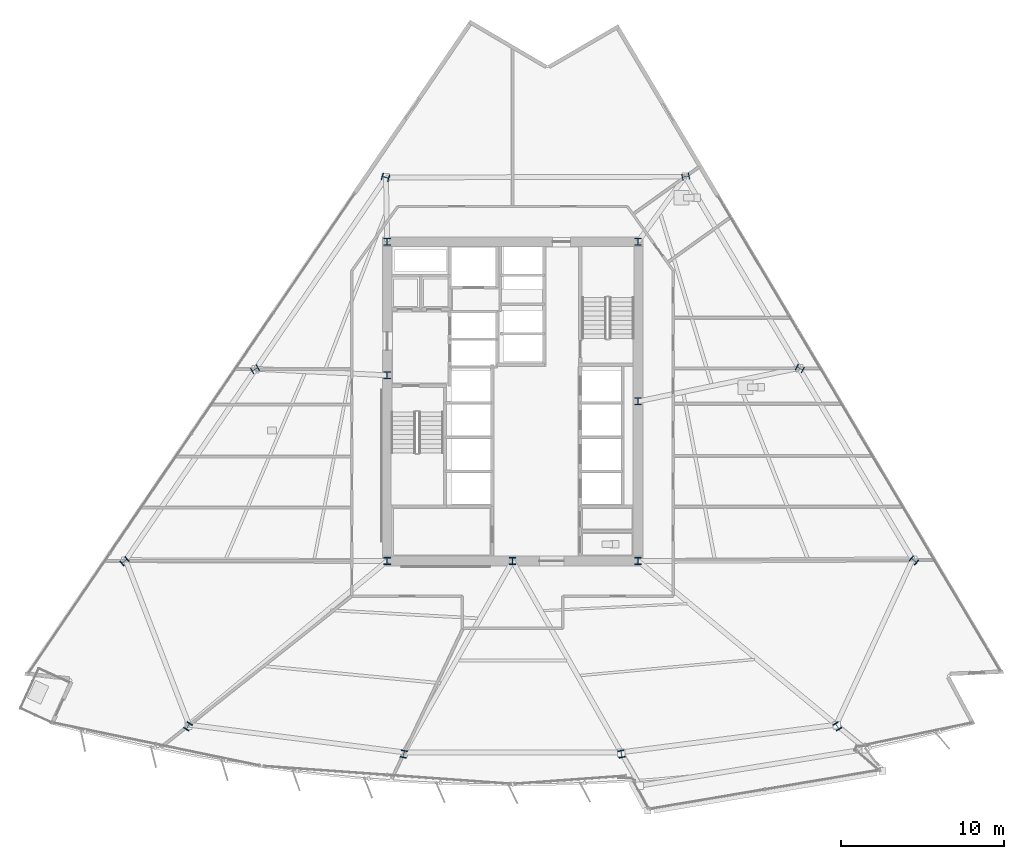
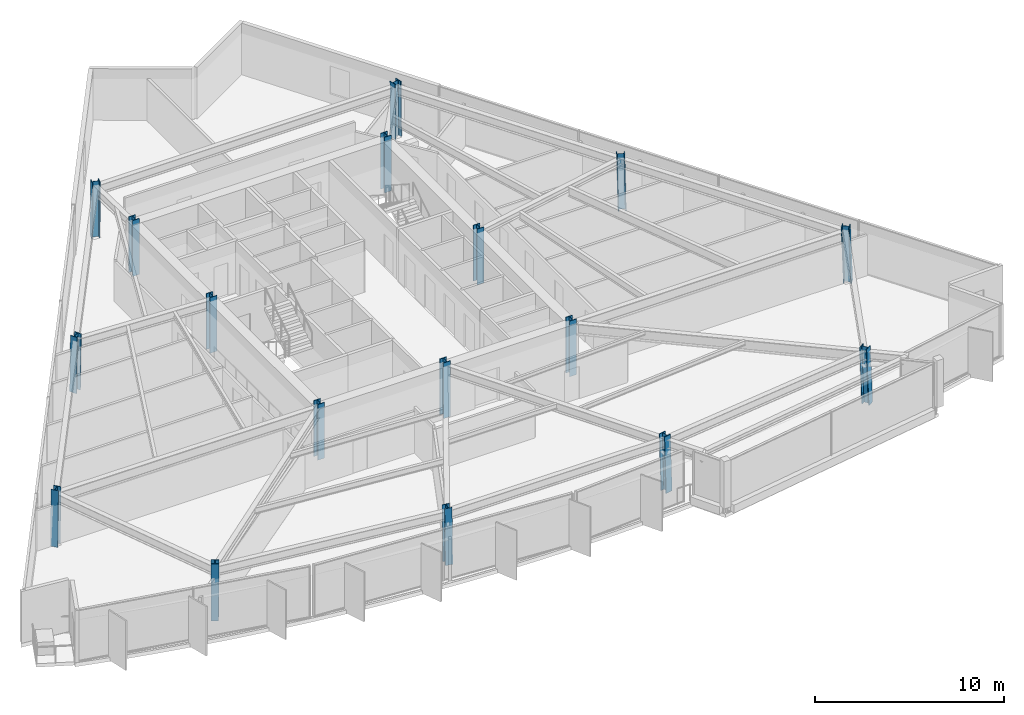
# One storey, part 1 of 18: 17 columns.
"""IFC4 building model written with IfcOpenShell, lengths in metres."""

from ifc_helpers import new_model, si_unit, direction, frame, origin, origin_2d, place, context, subcontext, project, spatial, i_section, extrude, material, material_profile, profile_set, type_object, element, save


model = new_model("IFC4")

# Units and contexts
model_context = context("Model", 3, precision=1e-05, world=origin(), true_north=direction((0.0, 1.0)))
body_context = subcontext(model_context, "Body", "Model", "MODEL_VIEW")
ifc_project = project(units=[si_unit("LENGTHUNIT", "METRE"), si_unit("AREAUNIT", "SQUARE_METRE"), si_unit("VOLUMEUNIT", "CUBIC_METRE"), si_unit("PLANEANGLEUNIT", "RADIAN"), si_unit("MASSUNIT", "GRAM", prefix="KILO")], contexts=[model_context])

# Site, building, storey
site_placement = place(None, origin())
site = spatial("IfcSite", under=ifc_project, at=site_placement, CompositionType="ELEMENT")
building_placement = place(site_placement, origin())
building = spatial("IfcBuilding", under=site, at=building_placement, Name="Savorim Split Tower", CompositionType="ELEMENT")
storey_placement = place(building_placement, frame((0.0, 0.0, 48.0)))
storey = spatial("IfcBuildingStorey", under=building, at=storey_placement, Name="L12", CompositionType="ELEMENT", Elevation=48.0)

# Columns
ifc_material = material(Name="Steel S460", Category="steel")
ifc_material_profile = material_profile(ifc_material, i_section(OverallWidth=0.416015625, OverallDepth=0.446044921875, WebThickness=0.02490234375, FlangeThickness=0.0400390625, FilletRadius=0.014892578125, at=origin_2d()), Name="HD 400x509")
ifc_profile_set = profile_set([ifc_material_profile], Name="Steel S460")
column_type = type_object("IfcColumnType", Name="COL-HD-509", PredefinedType="COLUMN", material=ifc_profile_set)
for number, where, z_axis, x_axis, name in (
    (1, (-7.699951171875, -9.39990234375, 0.0), (0.0, 0.0, 1.0), (1.0, 0.0, 0.0), "L12 Core Structural Column TC-C1"),
    (2, (7.699951171875, -9.39990234375, 0.0), (0.0, 0.0, 1.0), (1.0, 0.0, 0.0), "L12 Core Structural Column TC-C2"),
    (3, (7.699951171875, 10.199951171875, 0.0), (0.0, 0.0, 1.0), (1.0, 0.0, 0.0), "L12 Core Structural Column TC-C3"),
    (4, (-7.699951171875, 10.199951171875, 0.0), (0.0, 0.0, 1.0), (1.0, 0.0, 0.0), "L12 Core Structural Column TC-C4"),
    (5, (0.0, -9.39990234375, 0.0), (0.0, 0.0, 1.0), (1.0, 0.0, 0.0), "L12 Core Structural Column TC-C5"),
    (6, (7.699951171875, 0.39990234375, 0.0), (0.0, 0.0, 1.0), (1.0, 0.0, 0.0), "L12 Core Structural Column TC-C6"),
    (7, (-7.699951171875, 2.0, 0.0), (0.0, 0.0, 1.0), (1.0, 0.0, 0.0), "L12 Core Structural Column TC-C7"),
):
    element("IfcColumn", number, at=place(storey_placement, frame(where, z_axis=z_axis, x_axis=x_axis)), inside=storey, type_object=column_type, Name=name, PredefinedType="COLUMN", context=body_context, shape_type="SweptSolid", body=[
        extrude(i_section(OverallWidth=0.416015625, OverallDepth=0.446044921875, WebThickness=0.02490234375, FlangeThickness=0.0400390625, FilletRadius=0.014892578125, at=origin_2d()), origin(), (0.0, 0.0, 1.0), 3.60009765625),
    ])
column_1_placement = place(storey_placement, frame((-19.937744140625, -19.56640625, 0.005615234375), z_axis=(0.020596339702, 0.033443561496, 0.99922836178), x_axis=(-0.851480003019, 0.52438707503, 0.0)))
element("IfcColumn", 8, at=column_1_placement, inside=storey, type_object=column_type, Name="L12 Tapered Perimeter Column PC-S1", PredefinedType="COLUMN", context=body_context, shape_type="SweptSolid", body=[
    extrude(i_section(OverallWidth=0.416015625, OverallDepth=0.446044921875, WebThickness=0.02490234375, FlangeThickness=0.0400390625, FilletRadius=0.014892578125, at=origin_2d()), origin(), (0.0, 0.0, 1.0), 3.591552734375),
])
for number, where, z_axis, x_axis, name in (
    (9, (-6.68212890625, -21.268310546875, 0.005615234375), (0.006866324617, 0.035215407439, 0.999356157066), (-0.981516643497, 0.191376797284, 0.0), "L12 Tapered Perimeter Column PC-S2"),
    (10, (6.68212890625, -21.268310546875, 0.005615234375), (-0.006866324617, 0.035215407439, 0.999356157066), (-0.981516643497, -0.191376797284, 0.0), "L12 Tapered Perimeter Column PC-S3"),
):
    element("IfcColumn", number, at=place(storey_placement, frame(where, z_axis=z_axis, x_axis=x_axis)), inside=storey, type_object=column_type, Name=name, PredefinedType="COLUMN", context=body_context, shape_type="SweptSolid", body=[
        extrude(i_section(OverallWidth=0.416015625, OverallDepth=0.446044921875, WebThickness=0.02490234375, FlangeThickness=0.0400390625, FilletRadius=0.014892578125, at=origin_2d()), origin(), (0.0, 0.0, 1.0), 3.591064453125),
    ])
column_2_placement = place(storey_placement, frame((19.937744140625, -19.56640625, 0.005615234375), z_axis=(-0.020596339702, 0.033443561496, 0.99922836178), x_axis=(-0.851480003019, -0.52438707503, 0.0)))
element("IfcColumn", 11, at=column_2_placement, inside=storey, type_object=column_type, Name="L12 Tapered Perimeter Column PC-S4", PredefinedType="COLUMN", context=body_context, shape_type="SweptSolid", body=[
    extrude(i_section(OverallWidth=0.416015625, OverallDepth=0.446044921875, WebThickness=0.02490234375, FlangeThickness=0.0400390625, FilletRadius=0.014892578125, at=origin_2d()), origin(), (0.0, 0.0, 1.0), 3.591552734375),
])
column_3_placement = place(storey_placement, frame((24.648681640625, -9.377685546875, 0.005615234375), z_axis=(-0.026107436898, 0.021620221181, 0.999425318758), x_axis=(-0.637813971185, -0.770190455771, 0.0)))
element("IfcColumn", 12, at=column_3_placement, inside=storey, type_object=column_type, Name="L12 Tapered Perimeter Column PC-E1", PredefinedType="COLUMN", context=body_context, shape_type="SweptSolid", body=[
    extrude(i_section(OverallWidth=0.416015625, OverallDepth=0.446044921875, WebThickness=0.02490234375, FlangeThickness=0.0400390625, FilletRadius=0.014892578125, at=origin_2d()), origin(), (0.0, 0.0, 1.0), 3.5908203125),
])
column_4_placement = place(storey_placement, frame((17.639892578125, 2.408935546875, 0.005615234375), z_axis=(-0.018907326549, 0.00952167524, 0.999775900241), x_axis=(-0.449781931574, -0.893138406984, 0.0)))
element("IfcColumn", 13, at=column_4_placement, inside=storey, type_object=column_type, Name="L12 Tapered Perimeter Column PC-E2", PredefinedType="COLUMN", context=body_context, shape_type="SweptSolid", body=[
    extrude(i_section(OverallWidth=0.416015625, OverallDepth=0.446044921875, WebThickness=0.02490234375, FlangeThickness=0.0400390625, FilletRadius=0.014892578125, at=origin_2d()), origin(), (0.0, 0.0, 1.0), 3.589599609375),
])
for number, where, z_axis, x_axis, name in (
    (14, (10.631591796875, 14.1953125, 0.005615234375), (-0.011767855299, -0.002516824544, 0.999927588966), (0.209143047003, -0.977885057607, 0.0), "L12 Tapered Perimeter Column PC-E3"),
    (15, (-7.802001953125, 14.146484375, 0.005615234375), (0.00877514453, -0.002516901919, 0.999958330153), (0.275705143097, 0.961242255662, 0.0), "L12 Tapered Perimeter Column PC-W1"),
):
    element("IfcColumn", number, at=place(storey_placement, frame(where, z_axis=z_axis, x_axis=x_axis)), inside=storey, type_object=column_type, Name=name, PredefinedType="COLUMN", context=body_context, shape_type="SweptSolid", body=[
        extrude(i_section(OverallWidth=0.416015625, OverallDepth=0.446044921875, WebThickness=0.02490234375, FlangeThickness=0.0400390625, FilletRadius=0.014892578125, at=origin_2d()), origin(), (0.0, 0.0, 1.0), 3.589111328125),
    ])
column_5_placement = place(storey_placement, frame((-15.8203125, 2.360107421875, 0.005615234375), z_axis=(0.017071567417, 0.009521989794, 0.999808928394), x_axis=(-0.487119351792, 0.873335409284, 0.0)))
element("IfcColumn", 16, at=column_5_placement, inside=storey, type_object=column_type, Name="L12 Tapered Perimeter Column PC-W2", PredefinedType="COLUMN", context=body_context, shape_type="SweptSolid", body=[
    extrude(i_section(OverallWidth=0.416015625, OverallDepth=0.446044921875, WebThickness=0.02490234375, FlangeThickness=0.0400390625, FilletRadius=0.014892578125, at=origin_2d()), origin(), (0.0, 0.0, 1.0), 3.589599609375),
])
column_6_placement = place(storey_placement, frame((-23.83837890625, -9.426513671875, 0.005615234375), z_axis=(0.025224163578, 0.021620711639, 0.999447990843), x_axis=(-0.650791373456, 0.759256602365, 0.0)))
element("IfcColumn", 17, at=column_6_placement, inside=storey, type_object=column_type, Name="L12 Tapered Perimeter Column PC-W3", PredefinedType="COLUMN", context=body_context, shape_type="SweptSolid", body=[
    extrude(i_section(OverallWidth=0.416015625, OverallDepth=0.446044921875, WebThickness=0.02490234375, FlangeThickness=0.0400390625, FilletRadius=0.014892578125, at=origin_2d()), origin(), (0.0, 0.0, 1.0), 3.5908203125),
])

save(model, "model.ifc")
